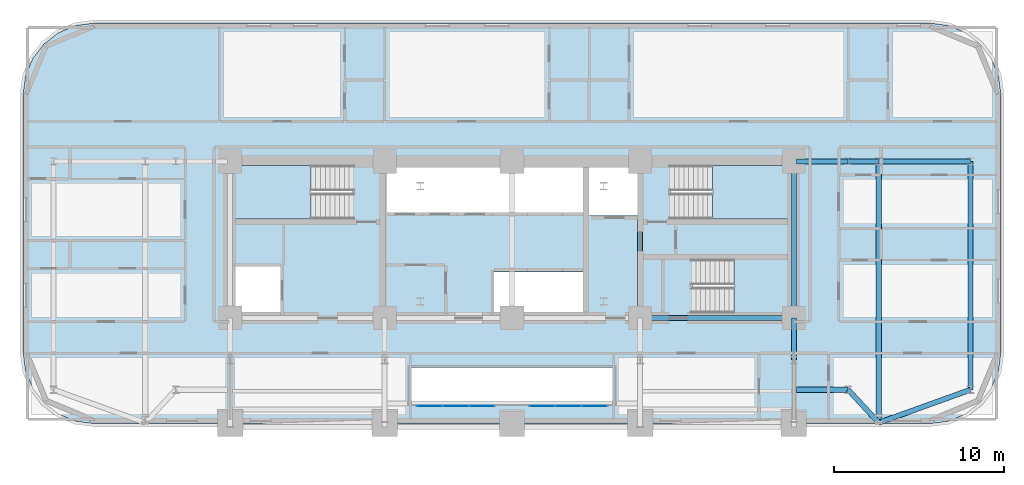
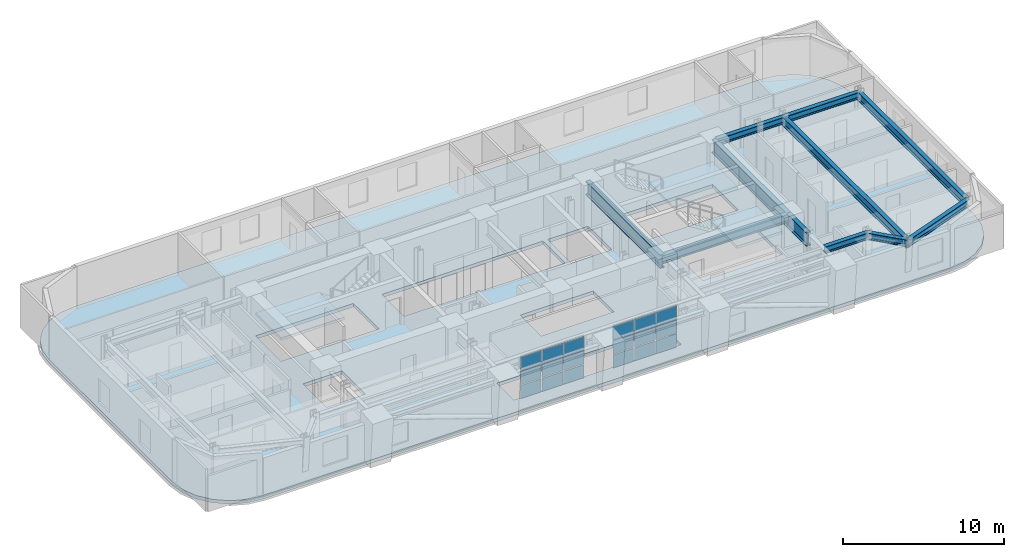
# One storey, part 6 of 15: 18 plates, 12 beams, 4 slabs, 5 elements without a shape of their own.
"""IFC4 building model written with IfcOpenShell, lengths in metres."""

from ifc_helpers import new_model, si_unit, direction, frame, origin, origin_2d, place, context, subcontext, project, spatial, polyline, rectangle, i_section, outline, extrude, material, layer, layer_set, material_profile, profile_set, type_object, element, aggregate, save


model = new_model("IFC4")

# Units and contexts
model_context = context("Model", 3, precision=1e-05, world=origin(), true_north=direction((0.0, 1.0)))
body_context = subcontext(model_context, "Body", "Model", "MODEL_VIEW")
ifc_project = project(units=[si_unit("LENGTHUNIT", "METRE"), si_unit("AREAUNIT", "SQUARE_METRE"), si_unit("VOLUMEUNIT", "CUBIC_METRE"), si_unit("PLANEANGLEUNIT", "RADIAN"), si_unit("MASSUNIT", "GRAM", prefix="KILO")], contexts=[model_context])

# Site, building, storey
site_placement = place(None, origin())
site = spatial("IfcSite", under=ifc_project, at=site_placement, CompositionType="ELEMENT")
building_placement = place(site_placement, origin())
building = spatial("IfcBuilding", under=site, at=building_placement, Name="Zarnavel Station Tower", CompositionType="ELEMENT")
storey_placement = place(building_placement, frame((0.0, 0.0, 50.0)))
storey = spatial("IfcBuildingStorey", under=building, at=storey_placement, Name="L13", CompositionType="ELEMENT", Elevation=50.0)

# Beams
ifc_material_1 = material(Name="Steel S355J2", Category="steel")
ifc_material_profile_1 = material_profile(ifc_material_1, i_section(OverallWidth=0.300048828125, OverallDepth=0.5, WebThickness=0.014404296875, FlangeThickness=0.028076171875, FilletRadius=0.027099609375, at=origin_2d()), Name="HEB500")
ifc_profile_set_1 = profile_set([ifc_material_profile_1], Name="Steel S355J2")
beam_type_1 = type_object("IfcBeamType", Name="FG_HEB500", PredefinedType="USERDEFINED", material=ifc_profile_set_1)
for number, where, z_axis, x_axis, name in (
    (1, (45.544921875, 23.60009765625, 2.989990234375), (1.0, 0.0, 0.0), (0.0, 1.0, 0.0), "L13 East Wing South Tie 1"),
    (2, (45.544921875, 37.050048828125, 2.989990234375), (1.0, 0.0, 0.0), (0.0, 1.0, 0.0), "L13 East Wing North Tie 1"),
):
    element("IfcBeam", number, at=place(storey_placement, frame(where, z_axis=z_axis, x_axis=x_axis)), inside=storey, type_object=beam_type_1, Name=name, ObjectType="GIRDER", PredefinedType="USERDEFINED", context=body_context, shape_type="SweptSolid", body=[
        extrude(i_section(OverallWidth=0.300048828125, OverallDepth=0.5, WebThickness=0.014404296875, FlangeThickness=0.028076171875, FilletRadius=0.027099609375, at=origin_2d()), origin(), (0.0, 0.0, 1.0), 3.05517578125),
    ])
beam_1_placement = place(storey_placement, frame((48.60009765625, 23.60009765625, 2.989990234375), z_axis=(0.679580806689, -0.733600659201, 0.0), x_axis=(0.733600659201, 0.679580806689, 0.0)))
element("IfcBeam", 3, at=beam_1_placement, inside=storey, type_object=beam_type_1, Name="L13 East Wing South Tie 2", ObjectType="GIRDER", PredefinedType="USERDEFINED", context=body_context, shape_type="SweptSolid", body=[
    extrude(i_section(OverallWidth=0.300048828125, OverallDepth=0.5, WebThickness=0.014404296875, FlangeThickness=0.028076171875, FilletRadius=0.027099609375, at=origin_2d()), origin(), (0.0, 0.0, 1.0), 2.6484375),
])
beam_2_placement = place(storey_placement, frame((48.60009765625, 37.050048828125, 2.989990234375), z_axis=(1.0, 0.0, 0.0), x_axis=(0.0, 1.0, 0.0)))
element("IfcBeam", 4, at=beam_2_placement, inside=storey, type_object=beam_type_1, Name="L13 East Wing North Tie 2", ObjectType="GIRDER", PredefinedType="USERDEFINED", context=body_context, shape_type="SweptSolid", body=[
    extrude(i_section(OverallWidth=0.300048828125, OverallDepth=0.5, WebThickness=0.014404296875, FlangeThickness=0.028076171875, FilletRadius=0.027099609375, at=origin_2d()), origin(), (0.0, 0.0, 1.0), 1.7998046875),
])
beam_3_placement = place(storey_placement, frame((50.39990234375, 21.6572265625, 2.989990234375), z_axis=(0.940953012612, 0.338537188587, 0.0), x_axis=(-0.338537188587, 0.940953012612, 0.0)))
element("IfcBeam", 5, at=beam_3_placement, inside=storey, type_object=beam_type_1, Name="L13 East Wing South Tie 3", ObjectType="GIRDER", PredefinedType="USERDEFINED", context=body_context, shape_type="SweptSolid", body=[
    extrude(i_section(OverallWidth=0.300048828125, OverallDepth=0.5, WebThickness=0.014404296875, FlangeThickness=0.028076171875, FilletRadius=0.027099609375, at=origin_2d()), origin(), (0.0, 0.0, 1.0), 5.739013671875),
])
beam_4_placement = place(storey_placement, frame((50.39990234375, 37.050048828125, 2.989990234375), z_axis=(1.0, 0.0, 0.0), x_axis=(0.0, 1.0, 0.0)))
element("IfcBeam", 6, at=beam_4_placement, inside=storey, type_object=beam_type_1, Name="L13 East Wing North Tie 3", ObjectType="GIRDER", PredefinedType="USERDEFINED", context=body_context, shape_type="SweptSolid", body=[
    extrude(i_section(OverallWidth=0.300048828125, OverallDepth=0.5, WebThickness=0.014404296875, FlangeThickness=0.028076171875, FilletRadius=0.027099609375, at=origin_2d()), origin(), (0.0, 0.0, 1.0), 5.400146484375),
])
ifc_material_2 = material(Name="Steel S355J2", Category="steel")
ifc_material_profile_2 = material_profile(ifc_material_2, i_section(OverallWidth=0.300048828125, OverallDepth=0.60009765625, WebThickness=0.015380859375, FlangeThickness=0.030029296875, FilletRadius=0.027099609375, at=origin_2d()), Name="HEB600")
ifc_profile_set_2 = profile_set([ifc_material_profile_2], Name="Steel S355J2")
beam_type_2 = type_object("IfcBeamType", Name="FG_HEB600", PredefinedType="USERDEFINED", material=ifc_profile_set_2)
beam_5_placement = place(storey_placement, frame((36.35009765625, 27.820068359375, 2.93994140625), z_axis=(1.0, 0.0, 0.0), x_axis=(0.0, 1.0, 0.0)))
element("IfcBeam", 7, at=beam_5_placement, inside=storey, type_object=beam_type_2, Name="L13 Core Front Coupling Beam 4", ObjectType="GIRDER", PredefinedType="USERDEFINED", context=body_context, shape_type="SweptSolid", body=[
    extrude(i_section(OverallWidth=0.300048828125, OverallDepth=0.60009765625, WebThickness=0.015380859375, FlangeThickness=0.030029296875, FilletRadius=0.027099609375, at=origin_2d()), origin(), (0.0, 0.0, 1.0), 9.0498046875),
])
ifc_material_3 = material(Name="Steel S355J2", Category="steel")
ifc_material_profile_3 = material_profile(ifc_material_3, i_section(OverallWidth=0.300048828125, OverallDepth=0.64990234375, WebThickness=0.01611328125, FlangeThickness=0.031005859375, FilletRadius=0.027099609375, at=origin_2d()), Name="HEB650")
ifc_profile_set_3 = profile_set([ifc_material_profile_3], Name="Steel S355J2")
beam_type_3 = type_object("IfcBeamType", Name="FG_HEB650", PredefinedType="USERDEFINED", material=ifc_profile_set_3)
beam_6_placement = place(storey_placement, frame((50.39990234375, 21.6572265625, 2.9150390625), z_axis=(0.0, 1.0, 0.0), x_axis=(-1.0, 0.0, 0.0)))
element("IfcBeam", 8, at=beam_6_placement, inside=storey, type_object=beam_type_3, Name="L13 Wing NS Girder 3", ObjectType="GIRDER", PredefinedType="USERDEFINED", context=body_context, shape_type="SweptSolid", body=[
    extrude(i_section(OverallWidth=0.300048828125, OverallDepth=0.64990234375, WebThickness=0.01611328125, FlangeThickness=0.031005859375, FilletRadius=0.027099609375, at=origin_2d()), origin(), (0.0, 0.0, 1.0), 15.392822265625),
])
beam_7_placement = place(storey_placement, frame((55.800048828125, 23.60009765625, 2.9150390625), z_axis=(0.0, 1.0, 0.0), x_axis=(-1.0, 0.0, 0.0)))
element("IfcBeam", 9, at=beam_7_placement, inside=storey, type_object=beam_type_3, Name="L13 Wing NS Girder 4", ObjectType="GIRDER", PredefinedType="USERDEFINED", context=body_context, shape_type="SweptSolid", body=[
    extrude(i_section(OverallWidth=0.300048828125, OverallDepth=0.64990234375, WebThickness=0.01611328125, FlangeThickness=0.031005859375, FilletRadius=0.027099609375, at=origin_2d()), origin(), (0.0, 0.0, 1.0), 13.449951171875),
])
ifc_material_4 = material(Name="Steel S460M", Category="steel")
ifc_material_profile_4 = material_profile(ifc_material_4, i_section(OverallWidth=0.302001953125, OverallDepth=1.008056640625, WebThickness=0.02099609375, FlangeThickness=0.0400390625, FilletRadius=0.030029296875, at=origin_2d()), Name="HEM1000")
ifc_profile_set_4 = profile_set([ifc_material_profile_4], Name="Steel S460M")
beam_type_4 = type_object("IfcBeamType", Name="TG_HEM1000", PredefinedType="USERDEFINED", material=ifc_profile_set_4)
for number, where, z_axis, x_axis, name in (
    (10, (36.35009765625, 27.820068359375, 2.736083984375), (0.0, 1.0, 0.0), (-1.0, 0.0, 0.0), "L13 Core Spine Coupling Girder 4"),
    (11, (45.39990234375, 27.820068359375, 2.736083984375), (0.0, 1.0, 0.0), (-1.0, 0.0, 0.0), "L13 Core Spine Coupling Girder 5"),
):
    element("IfcBeam", number, at=place(storey_placement, frame(where, z_axis=z_axis, x_axis=x_axis)), inside=storey, type_object=beam_type_4, Name=name, ObjectType="GIRDER", PredefinedType="USERDEFINED", context=body_context, shape_type="SweptSolid", body=[
        extrude(i_section(OverallWidth=0.302001953125, OverallDepth=1.008056640625, WebThickness=0.02099609375, FlangeThickness=0.0400390625, FilletRadius=0.030029296875, at=origin_2d()), origin(), (0.0, 0.0, 1.0), 9.22998046875),
    ])
beam_8_placement = place(storey_placement, frame((45.39990234375, 25.35009765625, 2.736083984375), z_axis=(0.0, 1.0, 0.0), x_axis=(-1.0, 0.0, 0.0)))
element("IfcBeam", 12, at=beam_8_placement, inside=storey, type_object=beam_type_4, Name="L13 Inner-Zone NS Girder 5", ObjectType="GIRDER", PredefinedType="USERDEFINED", context=body_context, shape_type="SweptSolid", body=[
    extrude(i_section(OverallWidth=0.302001953125, OverallDepth=1.008056640625, WebThickness=0.02099609375, FlangeThickness=0.0400390625, FilletRadius=0.030029296875, at=origin_2d()), origin(), (0.0, 0.0, 1.0), 2.469970703125),
])

# Curtain wall, plates
ifc_material_5 = material(Name="Aluminium Dark Anodised and Solar-Control Glass", Category="aluminium")
ifc_layer_1 = layer(ifc_material_5, 0.179931640625)
ifc_layer_set_1 = layer_set([ifc_layer_1], Name="CWS2")
curtain_wall_type = type_object("IfcCurtainWallType", Name="CWS2", PredefinedType="NOTDEFINED", material=ifc_layer_set_1)
curtain_wall_1_placement = place(storey_placement, origin())
curtain_wall_1 = element("IfcCurtainWall", 13, at=curtain_wall_1_placement, inside=storey, type_object=curtain_wall_type, Name="L13 Curtain Wall CWS2-L13-AS-S1", PredefinedType="NOTDEFINED")
ifc_material_6 = material(Name="Double Low-E Dark Solar-Control Glass", Category="glass")
ifc_layer_2 = layer(ifc_material_6, 0.028076171875)
ifc_layer_set_2 = layer_set([ifc_layer_2], Name="CWS2_PNL")
plate_type = type_object("IfcPlateType", Name="CWS2_PNL", PredefinedType="CURTAIN_PANEL", material=ifc_layer_set_2)
plate_1_placement = place(storey_placement, frame((23.943359375, 22.64990234375, 0.06005859375), z_axis=(0.0, 0.0, 1.0), x_axis=(1.0, 0.0, 0.0)))
plate_1 = element("IfcPlate", 14, at=plate_1_placement, type_object=plate_type, Name="CW2 panel 1.1", PredefinedType="CURTAIN_PANEL", context=body_context, shape_type="SweptSolid", body=[
    extrude(rectangle(XDim=1.466552734375, YDim=0.028076171875, at=origin_2d()), origin(), (0.0, 0.0, 1.0), 0.989990234375),
])
plate_2_placement = place(storey_placement, frame((23.943359375, 22.64990234375, 1.110107421875), z_axis=(0.0, 0.0, 1.0), x_axis=(1.0, 0.0, 0.0)))
plate_2 = element("IfcPlate", 15, at=plate_2_placement, type_object=plate_type, Name="CW2 panel 1.2", PredefinedType="CURTAIN_PANEL", context=body_context, shape_type="SweptSolid", body=[
    extrude(rectangle(XDim=1.466552734375, YDim=0.028076171875, at=origin_2d()), origin(), (0.0, 0.0, 1.0), 1.02001953125),
])
plate_3_placement = place(storey_placement, frame((23.943359375, 22.64990234375, 2.18994140625), z_axis=(0.0, 0.0, 1.0), x_axis=(1.0, 0.0, 0.0)))
plate_3 = element("IfcPlate", 16, at=plate_3_placement, type_object=plate_type, Name="CW2 panel 1.3", PredefinedType="CURTAIN_PANEL", context=body_context, shape_type="SweptSolid", body=[
    extrude(rectangle(XDim=1.466552734375, YDim=0.028076171875, at=origin_2d()), origin(), (0.0, 0.0, 1.0), 0.989990234375),
])
plate_4_placement = place(storey_placement, frame((25.485107421875, 22.64990234375, 0.06005859375), z_axis=(0.0, 0.0, 1.0), x_axis=(1.0, 0.0, 0.0)))
plate_4 = element("IfcPlate", 17, at=plate_4_placement, type_object=plate_type, Name="CW2 panel 2.1", PredefinedType="CURTAIN_PANEL", context=body_context, shape_type="SweptSolid", body=[
    extrude(rectangle(XDim=1.49658203125, YDim=0.028076171875, at=origin_2d()), origin(), (0.0, 0.0, 1.0), 0.989990234375),
])
plate_5_placement = place(storey_placement, frame((25.485107421875, 22.64990234375, 1.110107421875), z_axis=(0.0, 0.0, 1.0), x_axis=(1.0, 0.0, 0.0)))
plate_5 = element("IfcPlate", 18, at=plate_5_placement, type_object=plate_type, Name="CW2 panel 2.2", PredefinedType="CURTAIN_PANEL", context=body_context, shape_type="SweptSolid", body=[
    extrude(rectangle(XDim=1.49658203125, YDim=0.028076171875, at=origin_2d()), origin(), (0.0, 0.0, 1.0), 1.02001953125),
])
plate_6_placement = place(storey_placement, frame((25.485107421875, 22.64990234375, 2.18994140625), z_axis=(0.0, 0.0, 1.0), x_axis=(1.0, 0.0, 0.0)))
plate_6 = element("IfcPlate", 19, at=plate_6_placement, type_object=plate_type, Name="CW2 panel 2.3", PredefinedType="CURTAIN_PANEL", context=body_context, shape_type="SweptSolid", body=[
    extrude(rectangle(XDim=1.49658203125, YDim=0.028076171875, at=origin_2d()), origin(), (0.0, 0.0, 1.0), 0.989990234375),
])
plate_7_placement = place(storey_placement, frame((27.026611328125, 22.64990234375, 0.06005859375), z_axis=(0.0, 0.0, 1.0), x_axis=(1.0, 0.0, 0.0)))
plate_7 = element("IfcPlate", 20, at=plate_7_placement, type_object=plate_type, Name="CW2 panel 3.1", PredefinedType="CURTAIN_PANEL", context=body_context, shape_type="SweptSolid", body=[
    extrude(rectangle(XDim=1.466552734375, YDim=0.028076171875, at=origin_2d()), origin(), (0.0, 0.0, 1.0), 0.989990234375),
])
plate_8_placement = place(storey_placement, frame((27.026611328125, 22.64990234375, 1.110107421875), z_axis=(0.0, 0.0, 1.0), x_axis=(1.0, 0.0, 0.0)))
plate_8 = element("IfcPlate", 21, at=plate_8_placement, type_object=plate_type, Name="CW2 panel 3.2", PredefinedType="CURTAIN_PANEL", context=body_context, shape_type="SweptSolid", body=[
    extrude(rectangle(XDim=1.466552734375, YDim=0.028076171875, at=origin_2d()), origin(), (0.0, 0.0, 1.0), 1.02001953125),
])
plate_9_placement = place(storey_placement, frame((27.026611328125, 22.64990234375, 2.18994140625), z_axis=(0.0, 0.0, 1.0), x_axis=(1.0, 0.0, 0.0)))
plate_9 = element("IfcPlate", 22, at=plate_9_placement, type_object=plate_type, Name="CW2 panel 3.3", PredefinedType="CURTAIN_PANEL", context=body_context, shape_type="SweptSolid", body=[
    extrude(rectangle(XDim=1.466552734375, YDim=0.028076171875, at=origin_2d()), origin(), (0.0, 0.0, 1.0), 0.989990234375),
])
aggregate(curtain_wall_1, [plate_1, plate_2, plate_3, plate_4, plate_5, plate_6, plate_7, plate_8, plate_9])

curtain_wall_2_placement = place(storey_placement, origin())
curtain_wall_2 = element("IfcCurtainWall", 23, at=curtain_wall_2_placement, inside=storey, type_object=curtain_wall_type, Name="L13 Curtain Wall CWS2-L13-AS-S2", PredefinedType="NOTDEFINED")
plate_10_placement = place(storey_placement, frame((30.5732421875, 22.64990234375, 0.06005859375), z_axis=(0.0, 0.0, 1.0), x_axis=(1.0, 0.0, 0.0)))
plate_10 = element("IfcPlate", 24, at=plate_10_placement, type_object=plate_type, Name="CW2 panel 1.1", PredefinedType="CURTAIN_PANEL", context=body_context, shape_type="SweptSolid", body=[
    extrude(rectangle(XDim=1.466552734375, YDim=0.028076171875, at=origin_2d()), origin(), (0.0, 0.0, 1.0), 0.989990234375),
])
plate_11_placement = place(storey_placement, frame((30.5732421875, 22.64990234375, 1.110107421875), z_axis=(0.0, 0.0, 1.0), x_axis=(1.0, 0.0, 0.0)))
plate_11 = element("IfcPlate", 25, at=plate_11_placement, type_object=plate_type, Name="CW2 panel 1.2", PredefinedType="CURTAIN_PANEL", context=body_context, shape_type="SweptSolid", body=[
    extrude(rectangle(XDim=1.466552734375, YDim=0.028076171875, at=origin_2d()), origin(), (0.0, 0.0, 1.0), 1.02001953125),
])
plate_12_placement = place(storey_placement, frame((30.5732421875, 22.64990234375, 2.18994140625), z_axis=(0.0, 0.0, 1.0), x_axis=(1.0, 0.0, 0.0)))
plate_12 = element("IfcPlate", 26, at=plate_12_placement, type_object=plate_type, Name="CW2 panel 1.3", PredefinedType="CURTAIN_PANEL", context=body_context, shape_type="SweptSolid", body=[
    extrude(rectangle(XDim=1.466552734375, YDim=0.028076171875, at=origin_2d()), origin(), (0.0, 0.0, 1.0), 0.989990234375),
])
plate_13_placement = place(storey_placement, frame((32.114990234375, 22.64990234375, 0.06005859375), z_axis=(0.0, 0.0, 1.0), x_axis=(1.0, 0.0, 0.0)))
plate_13 = element("IfcPlate", 27, at=plate_13_placement, type_object=plate_type, Name="CW2 panel 2.1", PredefinedType="CURTAIN_PANEL", context=body_context, shape_type="SweptSolid", body=[
    extrude(rectangle(XDim=1.49658203125, YDim=0.028076171875, at=origin_2d()), origin(), (0.0, 0.0, 1.0), 0.989990234375),
])
plate_14_placement = place(storey_placement, frame((32.114990234375, 22.64990234375, 1.110107421875), z_axis=(0.0, 0.0, 1.0), x_axis=(1.0, 0.0, 0.0)))
plate_14 = element("IfcPlate", 28, at=plate_14_placement, type_object=plate_type, Name="CW2 panel 2.2", PredefinedType="CURTAIN_PANEL", context=body_context, shape_type="SweptSolid", body=[
    extrude(rectangle(XDim=1.49658203125, YDim=0.028076171875, at=origin_2d()), origin(), (0.0, 0.0, 1.0), 1.02001953125),
])
plate_15_placement = place(storey_placement, frame((32.114990234375, 22.64990234375, 2.18994140625), z_axis=(0.0, 0.0, 1.0), x_axis=(1.0, 0.0, 0.0)))
plate_15 = element("IfcPlate", 29, at=plate_15_placement, type_object=plate_type, Name="CW2 panel 2.3", PredefinedType="CURTAIN_PANEL", context=body_context, shape_type="SweptSolid", body=[
    extrude(rectangle(XDim=1.49658203125, YDim=0.028076171875, at=origin_2d()), origin(), (0.0, 0.0, 1.0), 0.989990234375),
])
plate_16_placement = place(storey_placement, frame((33.65673828125, 22.64990234375, 0.06005859375), z_axis=(0.0, 0.0, 1.0), x_axis=(1.0, 0.0, 0.0)))
plate_16 = element("IfcPlate", 30, at=plate_16_placement, type_object=plate_type, Name="CW2 panel 3.1", PredefinedType="CURTAIN_PANEL", context=body_context, shape_type="SweptSolid", body=[
    extrude(rectangle(XDim=1.466552734375, YDim=0.028076171875, at=origin_2d()), origin(), (0.0, 0.0, 1.0), 0.989990234375),
])
plate_17_placement = place(storey_placement, frame((33.65673828125, 22.64990234375, 1.110107421875), z_axis=(0.0, 0.0, 1.0), x_axis=(1.0, 0.0, 0.0)))
plate_17 = element("IfcPlate", 31, at=plate_17_placement, type_object=plate_type, Name="CW2 panel 3.2", PredefinedType="CURTAIN_PANEL", context=body_context, shape_type="SweptSolid", body=[
    extrude(rectangle(XDim=1.466552734375, YDim=0.028076171875, at=origin_2d()), origin(), (0.0, 0.0, 1.0), 1.02001953125),
])
plate_18_placement = place(storey_placement, frame((33.65673828125, 22.64990234375, 2.18994140625), z_axis=(0.0, 0.0, 1.0), x_axis=(1.0, 0.0, 0.0)))
plate_18 = element("IfcPlate", 32, at=plate_18_placement, type_object=plate_type, Name="CW2 panel 3.3", PredefinedType="CURTAIN_PANEL", context=body_context, shape_type="SweptSolid", body=[
    extrude(rectangle(XDim=1.466552734375, YDim=0.028076171875, at=origin_2d()), origin(), (0.0, 0.0, 1.0), 0.989990234375),
])
aggregate(curtain_wall_2, [plate_10, plate_11, plate_12, plate_13, plate_14, plate_15, plate_16, plate_17, plate_18])

# Slab
ifc_material_7 = material(Name="Concrete C45/55", Category="concrete")
ifc_layer_3 = layer(ifc_material_7, 0.260009765625)
ifc_layer_set_3 = layer_set([ifc_layer_3], Name="SL_FLR_260")
slab_type_1 = type_object("IfcSlabType", Name="SL_FLR_260", PredefinedType="FLOOR", material=ifc_layer_set_3)
slab_1_placement = place(storey_placement, frame((0.0, 0.0, -0.260009765625)))
element("IfcSlab", 33, at=slab_1_placement, inside=storey, type_object=slab_type_1, Name="L13 Structural Floor Slab", PredefinedType="FLOOR", context=body_context, shape_type="SweptSolid", body=[
    extrude(outline(polyline([(53.39990234375, 21.60009765625), (54.487060546875, 21.7431640625), (55.5, 22.16259765625), (56.369873046875, 22.830078125), (57.037353515625, 23.699951171875), (57.456787109375, 24.712890625), (57.60009765625, 25.800048828125), (57.60009765625, 41.0), (57.456787109375, 42.0869140625), (57.037353515625, 43.10009765625), (56.369873046875, 43.9697265625), (55.5, 44.63720703125), (54.487060546875, 45.056884765625), (53.39990234375, 45.199951171875), (4.199951171875, 45.199951171875), (3.113037109375, 45.056884765625), (2.10009765625, 44.63720703125), (1.230224609375, 43.9697265625), (0.562744140625, 43.10009765625), (0.14306640625, 42.0869140625), (0.0, 41.0), (0.0, 25.800048828125), (0.14306640625, 24.712890625), (0.562744140625, 23.699951171875), (1.230224609375, 22.830078125), (2.10009765625, 22.16259765625), (3.113037109375, 21.7431640625), (4.199951171875, 21.60009765625), (53.39990234375, 21.60009765625)]), holes=[polyline([(12.39990234375, 33.659912109375), (19.409912109375, 33.659912109375), (19.409912109375, 36.820068359375), (12.39990234375, 36.820068359375), (12.39990234375, 33.659912109375)]), polyline([(38.14990234375, 33.659912109375), (45.159912109375, 33.659912109375), (45.159912109375, 36.820068359375), (38.14990234375, 36.820068359375), (38.14990234375, 33.659912109375)]), polyline([(39.419921875, 28.1201171875), (45.14990234375, 28.1201171875), (45.14990234375, 31.280029296875), (39.419921875, 31.280029296875), (39.419921875, 28.1201171875)]), polyline([(12.35009765625, 27.949951171875), (15.14990234375, 27.949951171875), (15.14990234375, 30.85009765625), (12.35009765625, 30.85009765625), (12.35009765625, 27.949951171875)]), polyline([(33.320068359375, 33.85009765625), (36.2099609375, 33.85009765625), (36.2099609375, 36.780029296875), (33.320068359375, 36.780029296875), (33.320068359375, 33.85009765625)]), polyline([(21.449951171875, 34.050048828125), (32.97998046875, 34.050048828125), (32.97998046875, 36.780029296875), (21.449951171875, 36.780029296875), (21.449951171875, 34.050048828125)]), polyline([(27.75, 27.949951171875), (32.97998046875, 27.949951171875), (32.97998046875, 30.550048828125), (27.75, 30.550048828125), (27.75, 27.949951171875)]), polyline([(22.800048828125, 22.800048828125), (34.800048828125, 22.800048828125), (34.800048828125, 24.89990234375), (22.800048828125, 24.89990234375), (22.800048828125, 22.800048828125)])]), origin(), (0.0, 0.0, 1.0), 0.260009765625),
])

# Stair, slab
ifc_material_8 = material(Name="Concrete C45/55", Category="concrete")
stair_type = type_object("IfcStairType", Name="ST_CORE_150", PredefinedType="HALF_TURN_STAIR", material=ifc_material_8)
stair_1_placement = place(storey_placement, origin())
stair_1 = element("IfcStair", 34, at=stair_1_placement, inside=storey, type_object=stair_type, Name="L13 Core Exit Stair ST1", PredefinedType="HALF_TURN_STAIR")
ifc_material_9 = material(Name="Concrete C45/55", Category="concrete")
ifc_layer_4 = layer(ifc_material_9, 0.199951171875)
ifc_layer_set_4 = layer_set([ifc_layer_4], Name="SL_STAIR_LAND_200")
slab_type_2 = type_object("IfcSlabType", Name="SL_STAIR_LAND_200", PredefinedType="LANDING", material=ifc_layer_set_4)
slab_2_placement = place(storey_placement, frame((0.0, 0.0, 1.550048828125)))
slab_2 = element("IfcSlab", 35, at=slab_2_placement, type_object=slab_type_2, Name="ST1 landing 1", PredefinedType="LANDING", context=body_context, shape_type="SweptSolid", body=[
    extrude(outline(polyline([(16.9599609375, 36.820068359375), (12.39990234375, 36.820068359375), (12.39990234375, 33.659912109375), (16.9599609375, 33.659912109375), (16.9599609375, 36.820068359375)])), origin(), (0.0, 0.0, 1.0), 0.199951171875),
])
aggregate(stair_1, [slab_2])

stair_2_placement = place(storey_placement, origin())
stair_2 = element("IfcStair", 36, at=stair_2_placement, inside=storey, type_object=stair_type, Name="L13 Core Exit Stair ST2", PredefinedType="HALF_TURN_STAIR")
slab_3_placement = place(storey_placement, frame((0.0, 0.0, 1.550048828125)))
slab_3 = element("IfcSlab", 37, at=slab_3_placement, type_object=slab_type_2, Name="ST2 landing 1", PredefinedType="LANDING", context=body_context, shape_type="SweptSolid", body=[
    extrude(outline(polyline([(40.60009765625, 33.659912109375), (45.159912109375, 33.659912109375), (45.159912109375, 36.820068359375), (40.60009765625, 36.820068359375), (40.60009765625, 33.659912109375)])), origin(), (0.0, 0.0, 1.0), 0.199951171875),
])
aggregate(stair_2, [slab_3])

stair_3_placement = place(storey_placement, origin())
stair_3 = element("IfcStair", 38, at=stair_3_placement, inside=storey, type_object=stair_type, Name="L13 Core Exit Stair ST3", PredefinedType="HALF_TURN_STAIR")
slab_4_placement = place(storey_placement, frame((0.0, 0.0, 1.550048828125)))
slab_4 = element("IfcSlab", 39, at=slab_4_placement, type_object=slab_type_2, Name="ST3 landing 1", PredefinedType="LANDING", context=body_context, shape_type="SweptSolid", body=[
    extrude(outline(polyline([(41.8701171875, 28.1201171875), (45.14990234375, 28.1201171875), (45.14990234375, 31.280029296875), (41.8701171875, 31.280029296875), (41.8701171875, 28.1201171875)])), origin(), (0.0, 0.0, 1.0), 0.199951171875),
])
aggregate(stair_3, [slab_4])

save(model, "model.ifc")
